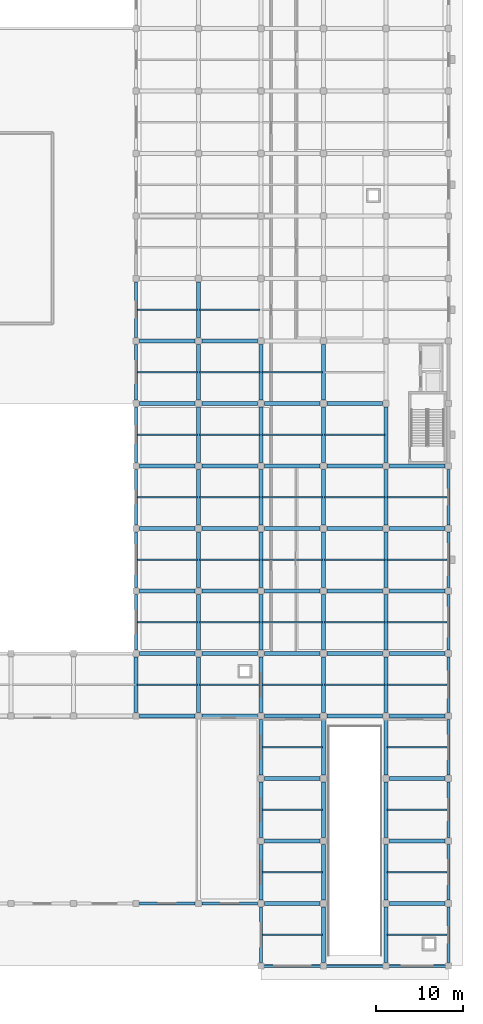
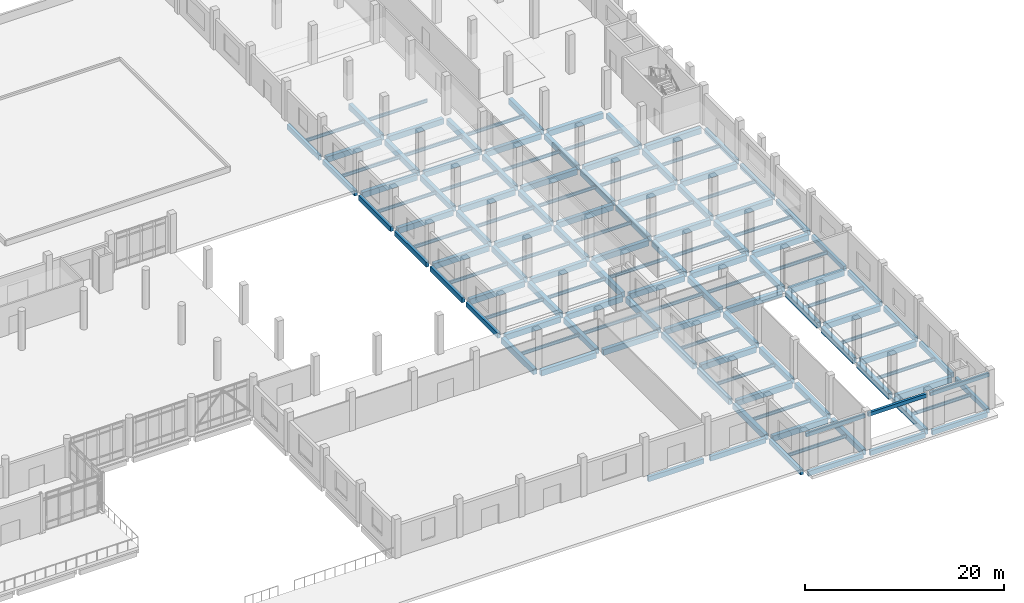
# One storey, part 25 of 59: 133 beams.
"""IFC4 building model written with IfcOpenShell, lengths in metres."""

import ifcopenshell
import ifcopenshell.guid

model = None  # the IFC model being written
_history = None  # IfcOwnerHistory: only IFC2X3 demands one
_inside = {}  # id of a spatial element -> (the spatial element, [elements in it])
_under = {}  # id of a project, library or spatial element -> (it, [spatial elements below it])
_declared = {}  # id of a project -> (the project, [libraries it declares])
_typed = {}  # id of a type object -> (the type object, [elements of that type])
_made_of = {}  # id of a material, layer set ... -> (it, [elements and type objects made of it])


def new_model(schema):
    """Start an empty IFC model of exactly this schema.

    Asked for "IFC4X3", IfcOpenShell would pick the latest addendum, in which some entities
    have other attributes; the version numbers below select the first issue.
    IFC2X3 requires an IfcOwnerHistory on every rooted entity: one is made here for all.
    """
    global model, _history
    if schema == "IFC4X3":
        model = ifcopenshell.file(schema_version=(4, 3, 0, 0))
    else:
        model = ifcopenshell.file(schema=schema)
    _inside.clear()
    _under.clear()
    _declared.clear()
    _typed.clear()
    _made_of.clear()
    _history = None
    if model.schema == "IFC2X3":
        org = make("IfcOrganization", Name="unknown")
        user = make(
            "IfcPersonAndOrganization",
            ThePerson=make("IfcPerson", FamilyName="unknown"),
            TheOrganization=org,
        )
        app = make(
            "IfcApplication",
            ApplicationDeveloper=org,
            Version="unknown",
            ApplicationFullName="unknown",
            ApplicationIdentifier="unknown",
        )
        _history = make(
            "IfcOwnerHistory",
            OwningUser=user,
            OwningApplication=app,
            ChangeAction="ADDED",
            CreationDate=0,
        )
    return model


def make(cls, **values):
    """One entity of the class cls with the attributes given. An attribute that is None is left unset."""
    return model.create_entity(
        cls, **{name: value for name, value in values.items() if value is not None}
    )


def rooted(cls, **values):
    """An entity with a GlobalId (a new one), such as an element, a storey or a relation."""
    return make(cls, GlobalId=ifcopenshell.guid.new(), OwnerHistory=_history, **values)


def si_unit(unit_type, name, prefix=None):
    """IfcSIUnit, for example si_unit("LENGTHUNIT", "METRE", prefix="MILLI")."""
    return make("IfcSIUnit", UnitType=unit_type, Prefix=prefix, Name=name)


def assignment(units):
    """IfcUnitAssignment: the units of a project."""
    return None if units is None else make("IfcUnitAssignment", Units=units)


def point(xyz):
    """IfcCartesianPoint."""
    return None if xyz is None else make("IfcCartesianPoint", Coordinates=xyz)


def direction(xyz):
    """IfcDirection."""
    return None if xyz is None else make("IfcDirection", DirectionRatios=xyz)


def frame(location, z_axis=None, x_axis=None):
    """IfcAxis2Placement3D, a coordinate frame: its origin and axes. An axis left out is left unset."""
    return make(
        "IfcAxis2Placement3D",
        Location=point(location),
        Axis=direction(z_axis),
        RefDirection=direction(x_axis),
    )


def frame_2d(location, x_axis=None):
    """IfcAxis2Placement2D, a coordinate frame in the plane: its origin and x axis."""
    return make(
        "IfcAxis2Placement2D", Location=point(location), RefDirection=direction(x_axis)
    )


def origin():
    """The frame at (0, 0, 0) with its axes left unset."""
    return frame((0.0, 0.0, 0.0))


def origin_2d():
    """The frame at (0, 0) in the plane with its x axis left unset."""
    return frame_2d((0.0, 0.0))


def place(relative_to, where):
    """IfcLocalPlacement: puts the frame where relative to a parent placement (None: the world)."""
    return make(
        "IfcLocalPlacement", PlacementRelTo=relative_to, RelativePlacement=where
    )


def context(
    kind, dimensions, precision=None, world=None, true_north=None, identifier=None
):
    """IfcGeometricRepresentationContext, for example the 3D "Model" context."""
    return make(
        "IfcGeometricRepresentationContext",
        ContextIdentifier=identifier,
        ContextType=kind,
        CoordinateSpaceDimension=dimensions,
        Precision=precision,
        WorldCoordinateSystem=world,
        TrueNorth=true_north,
    )


def subcontext(parent, identifier, kind, view, scale=None):
    """IfcGeometricRepresentationSubContext, for example "Body" below "Model"."""
    return make(
        "IfcGeometricRepresentationSubContext",
        ContextIdentifier=identifier,
        ContextType=kind,
        ParentContext=parent,
        TargetScale=scale,
        TargetView=view,
    )


def project(units=None, contexts=None):
    """IfcProject with its units and contexts."""
    return rooted(
        "IfcProject",
        Name="project",
        RepresentationContexts=contexts,
        UnitsInContext=assignment(units),
    )


def spatial(cls, under=None, at=None, **own):
    """A site, building, storey or space (cls), placed at a placement, below another one or the project."""
    s = rooted(cls, ObjectPlacement=at, **own)
    if under is not None:
        _under.setdefault(under.id(), (under, []))[1].append(s)
    return s


def profile(cls, at=None, kind="AREA", **sizes):
    """A parametric profile (cls). Its sizes go by their IFC names, for example OverallWidth=200.0."""
    return make(cls, ProfileType=kind, Position=at, **sizes)


def rectangle(**sizes):
    """IfcRectangleProfileDef."""
    return profile("IfcRectangleProfileDef", **sizes)


def i_section(**sizes):
    """IfcIShapeProfileDef."""
    return profile("IfcIShapeProfileDef", **sizes)


def extrude(swept, where, along, depth):
    """IfcExtrudedAreaSolid: the profile swept, set in the frame where, extruded along a direction by depth."""
    return make(
        "IfcExtrudedAreaSolid",
        SweptArea=swept,
        Position=where,
        ExtrudedDirection=direction(along),
        Depth=depth,
    )


def shape(context_of_items, identifier, shape_type, items):
    """IfcShapeRepresentation: the items that make up one representation, for example the "Body"."""
    return make(
        "IfcShapeRepresentation",
        ContextOfItems=context_of_items,
        RepresentationIdentifier=identifier,
        RepresentationType=shape_type,
        Items=items,
    )


def material(Name=None, Category=None):
    """IfcMaterial."""
    return make("IfcMaterial", Name=Name, Category=Category)


def material_profile(
    of_material, cross_section, Name=None, Category=None, Priority=None
):
    """IfcMaterialProfile: a cross section and its material."""
    return make(
        "IfcMaterialProfile",
        Name=Name,
        Material=of_material,
        Profile=cross_section,
        Priority=Priority,
        Category=Category,
    )


def profile_set(profiles, Name=None, composite=None):
    """IfcMaterialProfileSet."""
    return make(
        "IfcMaterialProfileSet",
        Name=Name,
        MaterialProfiles=profiles,
        CompositeProfile=composite,
    )


def made_of(thing, what):
    """Note that an element or type object is made of a material, layer set ...; save() writes the relation."""
    if what is not None:
        _made_of.setdefault(what.id(), (what, []))[1].append(thing)
    return thing


def type_object(cls, material=None, **own):
    """A type object (cls), such as IfcWallType, which elements share."""
    return made_of(rooted(cls, **own), material)


def element(
    cls,
    number,
    at=None,
    inside=None,
    cuts=None,
    type_object=None,
    material=None,
    context=None,
    identifier="Body",
    shape_type=None,
    held_by="IfcProductDefinitionShape",
    body=None,
    shapes=None,
    **own,
):
    """One element of the class cls, such as IfcWall. Its Tag is "e" and its number.

    at: its placement. inside: the storey or other place that contains it. cuts: it is an
    opening in that element (IfcRelVoidsElement). A single representation is given by context,
    identifier, shape_type and body (its items); several are given by shapes. held_by: the class
    of the entity that holds the representations. save() writes the other relations.
    """
    e = rooted(cls, Tag="e%d" % number, ObjectPlacement=at, **own)
    if body is not None:
        shapes = [shape(context, identifier, shape_type, body)]
    if shapes is not None:
        e.Representation = make(held_by, Representations=shapes)
    if inside is not None:
        _inside.setdefault(inside.id(), (inside, []))[1].append(e)
    if cuts is not None:
        rooted(
            "IfcRelVoidsElement", RelatingBuildingElement=cuts, RelatedOpeningElement=e
        )
    if type_object is not None:
        _typed.setdefault(type_object.id(), (type_object, []))[1].append(e)
    return made_of(e, material)


def aggregate(whole, parts):
    """IfcRelAggregates: a whole, such as a stair, and the parts it consists of."""
    return rooted("IfcRelAggregates", RelatingObject=whole, RelatedObjects=parts)


def save(model, path):
    """Write the relations noted so far, then the file.

    IfcRelAggregates (storeys below a building ...), IfcRelContainedInSpatialStructure (elements
    in a storey), IfcRelDefinesByType, IfcRelAssociatesMaterial and IfcRelDeclares: one each for
    every whole, place, type object, material and project.
    """
    for whole, parts in _under.values():
        aggregate(whole, parts)
    for where, things in _inside.values():
        rooted(
            "IfcRelContainedInSpatialStructure",
            RelatedElements=things,
            RelatingStructure=where,
        )
    for kind, things in _typed.values():
        rooted("IfcRelDefinesByType", RelatedObjects=things, RelatingType=kind)
    for what, things in _made_of.values():
        rooted("IfcRelAssociatesMaterial", RelatedObjects=things, RelatingMaterial=what)
    for by, libraries in _declared.values():
        rooted("IfcRelDeclares", RelatingContext=by, RelatedDefinitions=libraries)
    model.write(path)


model = new_model("IFC4")

# Units and contexts
model_context = context("Model", 3, precision=1e-05, world=origin(), true_north=direction((0.0, 1.0)))
body_context = subcontext(model_context, "Body", "Model", "MODEL_VIEW")
ifc_project = project(units=[si_unit("LENGTHUNIT", "METRE"), si_unit("AREAUNIT", "SQUARE_METRE"), si_unit("VOLUMEUNIT", "CUBIC_METRE"), si_unit("PLANEANGLEUNIT", "RADIAN"), si_unit("MASSUNIT", "GRAM", prefix="KILO")], contexts=[model_context])

# Site, building, storey
site_placement = place(None, origin())
site = spatial("IfcSite", under=ifc_project, at=site_placement, CompositionType="ELEMENT")
building_placement = place(site_placement, origin())
building = spatial("IfcBuilding", under=site, at=building_placement, Name="Valkovuoma Quantum and Materials Research Institute", CompositionType="ELEMENT")
storey_placement = place(building_placement, origin())
storey = spatial("IfcBuildingStorey", under=building, at=storey_placement, Name="L00", CompositionType="ELEMENT", Elevation=0.0)

# Beams
ifc_material_1 = material(Name="Steel S355J2", Category="steel")
ifc_material_profile_1 = material_profile(ifc_material_1, i_section(OverallWidth=0.179931640625, OverallDepth=0.39990234375, WebThickness=0.008544921875, FlangeThickness=0.013427734375, FilletRadius=0.02099609375, at=origin_2d()), Name="Steel S355J2")
ifc_profile_set_1 = profile_set([ifc_material_profile_1], Name="Steel S355J2")
beam_type_1 = type_object("IfcBeamType", Name="Beam-B-JST400", PredefinedType="JOIST", material=ifc_profile_set_1)
for number, where, z_axis, x_axis, name in (
    (1, (144.1201171875, 3.60009765625, -0.60009765625), (1.0, 0.0, 0.0), (0.0, 1.0, 0.0), "L00 floor joist 0395"),
    (2, (158.52001953125, 3.60009765625, -0.60009765625), (1.0, 0.0, 0.0), (0.0, 1.0, 0.0), "L00 floor joist 0396"),
    (3, (144.1201171875, 10.800048828125, -0.60009765625), (1.0, 0.0, 0.0), (0.0, 1.0, 0.0), "L00 floor joist 0397"),
    (4, (158.52001953125, 10.800048828125, -0.60009765625), (1.0, 0.0, 0.0), (0.0, 1.0, 0.0), "L00 floor joist 0398"),
    (5, (144.1201171875, 18.0, -0.60009765625), (1.0, 0.0, 0.0), (0.0, 1.0, 0.0), "L00 floor joist 0399"),
    (6, (158.52001953125, 18.0, -0.60009765625), (1.0, 0.0, 0.0), (0.0, 1.0, 0.0), "L00 floor joist 0400"),
    (7, (144.1201171875, 25.199951171875, -0.60009765625), (1.0, 0.0, 0.0), (0.0, 1.0, 0.0), "L00 floor joist 0404"),
    (8, (158.52001953125, 25.199951171875, -0.60009765625), (1.0, 0.0, 0.0), (0.0, 1.0, 0.0), "L00 floor joist 0405"),
    (9, (129.719970703125, 32.39990234375, -0.60009765625), (1.0, 0.0, 0.0), (0.0, 1.0, 0.0), "L00 floor joist 0413"),
    (10, (136.919921875, 32.39990234375, -0.60009765625), (1.0, 0.0, 0.0), (0.0, 1.0, 0.0), "L00 floor joist 0414"),
    (11, (144.1201171875, 32.39990234375, -0.60009765625), (1.0, 0.0, 0.0), (0.0, 1.0, 0.0), "L00 floor joist 0415"),
    (12, (151.320068359375, 32.39990234375, -0.60009765625), (1.0, 0.0, 0.0), (0.0, 1.0, 0.0), "L00 floor joist 0416"),
    (13, (158.52001953125, 32.39990234375, -0.60009765625), (1.0, 0.0, 0.0), (0.0, 1.0, 0.0), "L00 floor joist 0417"),
    (14, (129.719970703125, 39.60009765625, -0.60009765625), (1.0, 0.0, 0.0), (0.0, 1.0, 0.0), "L00 floor joist 0431"),
    (15, (136.919921875, 39.60009765625, -0.60009765625), (1.0, 0.0, 0.0), (0.0, 1.0, 0.0), "L00 floor joist 0432"),
    (16, (144.1201171875, 39.60009765625, -0.60009765625), (1.0, 0.0, 0.0), (0.0, 1.0, 0.0), "L00 floor joist 0433"),
    (17, (151.320068359375, 39.60009765625, -0.60009765625), (1.0, 0.0, 0.0), (0.0, 1.0, 0.0), "L00 floor joist 0434"),
    (18, (158.52001953125, 39.60009765625, -0.60009765625), (1.0, 0.0, 0.0), (0.0, 1.0, 0.0), "L00 floor joist 0435"),
    (19, (129.719970703125, 46.800048828125, -0.60009765625), (1.0, 0.0, 0.0), (0.0, 1.0, 0.0), "L00 floor joist 0448"),
    (20, (136.919921875, 46.800048828125, -0.60009765625), (1.0, 0.0, 0.0), (0.0, 1.0, 0.0), "L00 floor joist 0449"),
    (21, (144.1201171875, 46.800048828125, -0.60009765625), (1.0, 0.0, 0.0), (0.0, 1.0, 0.0), "L00 floor joist 0450"),
    (22, (151.320068359375, 46.800048828125, -0.60009765625), (1.0, 0.0, 0.0), (0.0, 1.0, 0.0), "L00 floor joist 0451"),
    (23, (158.52001953125, 46.800048828125, -0.60009765625), (1.0, 0.0, 0.0), (0.0, 1.0, 0.0), "L00 floor joist 0452"),
    (24, (129.719970703125, 54.0, -0.60009765625), (1.0, 0.0, 0.0), (0.0, 1.0, 0.0), "L00 floor joist 0465"),
    (25, (136.919921875, 54.0, -0.60009765625), (1.0, 0.0, 0.0), (0.0, 1.0, 0.0), "L00 floor joist 0466"),
    (26, (144.1201171875, 54.0, -0.60009765625), (1.0, 0.0, 0.0), (0.0, 1.0, 0.0), "L00 floor joist 0467"),
    (27, (151.320068359375, 54.0, -0.60009765625), (1.0, 0.0, 0.0), (0.0, 1.0, 0.0), "L00 floor joist 0468"),
    (28, (158.52001953125, 54.0, -0.60009765625), (1.0, 0.0, 0.0), (0.0, 1.0, 0.0), "L00 floor joist 0469"),
    (29, (129.719970703125, 61.199951171875, -0.60009765625), (1.0, 0.0, 0.0), (0.0, 1.0, 0.0), "L00 floor joist 0484"),
    (30, (136.919921875, 61.199951171875, -0.60009765625), (1.0, 0.0, 0.0), (0.0, 1.0, 0.0), "L00 floor joist 0485"),
    (31, (144.1201171875, 61.199951171875, -0.60009765625), (1.0, 0.0, 0.0), (0.0, 1.0, 0.0), "L00 floor joist 0486"),
    (32, (151.320068359375, 61.199951171875, -0.60009765625), (1.0, 0.0, 0.0), (0.0, 1.0, 0.0), "L00 floor joist 0487"),
    (33, (129.719970703125, 68.39990234375, -0.60009765625), (1.0, 0.0, 0.0), (0.0, 1.0, 0.0), "L00 floor joist 0492"),
    (34, (136.919921875, 68.39990234375, -0.60009765625), (1.0, 0.0, 0.0), (0.0, 1.0, 0.0), "L00 floor joist 0493"),
    (35, (144.1201171875, 68.39990234375, -0.60009765625), (1.0, 0.0, 0.0), (0.0, 1.0, 0.0), "L00 floor joist 0494"),
    (36, (129.719970703125, 75.60009765625, -0.60009765625), (1.0, 0.0, 0.0), (0.0, 1.0, 0.0), "L00 floor joist 0499"),
    (37, (136.919921875, 75.60009765625, -0.60009765625), (1.0, 0.0, 0.0), (0.0, 1.0, 0.0), "L00 floor joist 0500"),
):
    element("IfcBeam", number, at=place(storey_placement, frame(where, z_axis=z_axis, x_axis=x_axis)), inside=storey, type_object=beam_type_1, Name=name, PredefinedType="JOIST", context=body_context, shape_type="SweptSolid", body=[
        extrude(i_section(OverallWidth=0.179931640625, OverallDepth=0.39990234375, WebThickness=0.008544921875, FlangeThickness=0.013427734375, FilletRadius=0.02099609375, at=origin_2d()), origin(), (0.0, 0.0, 1.0), 6.9599609375),
    ])
ifc_material_2 = material(Name="Concrete C40/50", Category="concrete")
ifc_material_profile_2 = material_profile(ifc_material_2, rectangle(XDim=0.300048828125, YDim=0.449951171875, at=origin_2d()), Name="Concrete C40/50")
ifc_profile_set_2 = profile_set([ifc_material_profile_2], Name="Concrete C40/50")
beam_type_2 = type_object("IfcBeamType", Name="Beam-B-LNT450", PredefinedType="LINTEL", material=ifc_profile_set_2)
for number, where, z_axis, x_axis, name in (
    (38, (144.179931640625, 0.0, 4.10009765625), (1.0, 0.0, 0.0), (0.0, 1.0, 0.0), "L00 structural lintel 01"),
    (39, (151.3798828125, 0.0, 4.10009765625), (1.0, 0.0, 0.0), (0.0, 1.0, 0.0), "L00 structural lintel 02"),
):
    element("IfcBeam", number, at=place(storey_placement, frame(where, z_axis=z_axis, x_axis=x_axis)), inside=storey, type_object=beam_type_2, Name=name, PredefinedType="LINTEL", context=body_context, shape_type="SweptSolid", body=[
        extrude(rectangle(XDim=0.300048828125, YDim=0.449951171875, at=origin_2d()), origin(), (0.0, 0.0, 1.0), 6.840087890625),
    ])
beam_1_placement = place(storey_placement, frame((158.580078125, 0.0, 4.10009765625), z_axis=(1.0, 0.0, 0.0), x_axis=(0.0, 1.0, 0.0)))
element("IfcBeam", 40, at=beam_1_placement, inside=storey, type_object=beam_type_2, Name="L00 structural lintel 03", PredefinedType="LINTEL", context=body_context, shape_type="SweptSolid", body=[
    extrude(rectangle(XDim=0.300048828125, YDim=0.449951171875, at=origin_2d()), origin(), (0.0, 0.0, 1.0), 6.83984375),
])
ifc_material_3 = material(Name="Concrete C40/50", Category="concrete")
ifc_material_profile_3 = material_profile(ifc_material_3, rectangle(XDim=0.449951171875, YDim=0.699951171875, at=origin_2d()), Name="Concrete C40/50")
ifc_profile_set_3 = profile_set([ifc_material_profile_3], Name="Concrete C40/50")
beam_type_3 = type_object("IfcBeamType", Name="Beam-B-RC700", PredefinedType="BEAM", material=ifc_profile_set_3)
beam_2_placement = place(storey_placement, frame((144.39990234375, 7.199951171875, -0.75), z_axis=(1.0, 0.0, 0.0), x_axis=(0.0, 1.0, 0.0)))
element("IfcBeam", 41, at=beam_2_placement, inside=storey, type_object=beam_type_3, Name="L00 beam X-0010", PredefinedType="BEAM", context=body_context, shape_type="SweptSolid", body=[
    extrude(rectangle(XDim=0.449951171875, YDim=0.699951171875, at=origin_2d()), origin(), (0.0, 0.0, 1.0), 6.400146484375),
])
beam_3_placement = place(storey_placement, frame((158.800048828125, 7.199951171875, -0.75), z_axis=(1.0, 0.0, 0.0), x_axis=(0.0, 1.0, 0.0)))
element("IfcBeam", 42, at=beam_3_placement, inside=storey, type_object=beam_type_3, Name="L00 beam X-0011", PredefinedType="BEAM", context=body_context, shape_type="SweptSolid", body=[
    extrude(rectangle(XDim=0.449951171875, YDim=0.699951171875, at=origin_2d()), origin(), (0.0, 0.0, 1.0), 6.39990234375),
])
beam_4_placement = place(storey_placement, frame((144.39990234375, 14.39990234375, -0.75), z_axis=(1.0, 0.0, 0.0), x_axis=(0.0, 1.0, 0.0)))
element("IfcBeam", 43, at=beam_4_placement, inside=storey, type_object=beam_type_3, Name="L00 beam X-0012", PredefinedType="BEAM", context=body_context, shape_type="SweptSolid", body=[
    extrude(rectangle(XDim=0.449951171875, YDim=0.699951171875, at=origin_2d()), origin(), (0.0, 0.0, 1.0), 6.400146484375),
])
beam_5_placement = place(storey_placement, frame((158.800048828125, 14.39990234375, -0.75), z_axis=(1.0, 0.0, 0.0), x_axis=(0.0, 1.0, 0.0)))
element("IfcBeam", 44, at=beam_5_placement, inside=storey, type_object=beam_type_3, Name="L00 beam X-0013", PredefinedType="BEAM", context=body_context, shape_type="SweptSolid", body=[
    extrude(rectangle(XDim=0.449951171875, YDim=0.699951171875, at=origin_2d()), origin(), (0.0, 0.0, 1.0), 6.39990234375),
])
beam_6_placement = place(storey_placement, frame((144.39990234375, 21.60009765625, -0.75), z_axis=(1.0, 0.0, 0.0), x_axis=(0.0, 1.0, 0.0)))
element("IfcBeam", 45, at=beam_6_placement, inside=storey, type_object=beam_type_3, Name="L00 beam X-0017", PredefinedType="BEAM", context=body_context, shape_type="SweptSolid", body=[
    extrude(rectangle(XDim=0.449951171875, YDim=0.699951171875, at=origin_2d()), origin(), (0.0, 0.0, 1.0), 6.400146484375),
])
for number, where, z_axis, x_axis, name in (
    (46, (158.800048828125, 21.60009765625, -0.75), (1.0, 0.0, 0.0), (0.0, 1.0, 0.0), "L00 beam X-0018"),
    (47, (130.0, 28.800048828125, -0.75), (1.0, 0.0, 0.0), (0.0, 1.0, 0.0), "L00 beam X-0028"),
):
    element("IfcBeam", number, at=place(storey_placement, frame(where, z_axis=z_axis, x_axis=x_axis)), inside=storey, type_object=beam_type_3, Name=name, PredefinedType="BEAM", context=body_context, shape_type="SweptSolid", body=[
        extrude(rectangle(XDim=0.449951171875, YDim=0.699951171875, at=origin_2d()), origin(), (0.0, 0.0, 1.0), 6.39990234375),
    ])
for number, where, z_axis, x_axis, name in (
    (48, (137.199951171875, 28.800048828125, -0.75), (1.0, 0.0, 0.0), (0.0, 1.0, 0.0), "L00 beam X-0029"),
    (49, (144.39990234375, 28.800048828125, -0.75), (1.0, 0.0, 0.0), (0.0, 1.0, 0.0), "L00 beam X-0030"),
):
    element("IfcBeam", number, at=place(storey_placement, frame(where, z_axis=z_axis, x_axis=x_axis)), inside=storey, type_object=beam_type_3, Name=name, PredefinedType="BEAM", context=body_context, shape_type="SweptSolid", body=[
        extrude(rectangle(XDim=0.449951171875, YDim=0.699951171875, at=origin_2d()), origin(), (0.0, 0.0, 1.0), 6.400146484375),
    ])
for number, where, z_axis, x_axis, name in (
    (50, (151.60009765625, 28.800048828125, -0.75), (1.0, 0.0, 0.0), (0.0, 1.0, 0.0), "L00 beam X-0031"),
    (51, (158.800048828125, 28.800048828125, -0.75), (1.0, 0.0, 0.0), (0.0, 1.0, 0.0), "L00 beam X-0032"),
    (52, (130.0, 36.0, -0.75), (1.0, 0.0, 0.0), (0.0, 1.0, 0.0), "L00 beam X-0049"),
):
    element("IfcBeam", number, at=place(storey_placement, frame(where, z_axis=z_axis, x_axis=x_axis)), inside=storey, type_object=beam_type_3, Name=name, PredefinedType="BEAM", context=body_context, shape_type="SweptSolid", body=[
        extrude(rectangle(XDim=0.449951171875, YDim=0.699951171875, at=origin_2d()), origin(), (0.0, 0.0, 1.0), 6.39990234375),
    ])
for number, where, z_axis, x_axis, name in (
    (53, (137.199951171875, 36.0, -0.75), (1.0, 0.0, 0.0), (0.0, 1.0, 0.0), "L00 beam X-0050"),
    (54, (144.39990234375, 36.0, -0.75), (1.0, 0.0, 0.0), (0.0, 1.0, 0.0), "L00 beam X-0051"),
):
    element("IfcBeam", number, at=place(storey_placement, frame(where, z_axis=z_axis, x_axis=x_axis)), inside=storey, type_object=beam_type_3, Name=name, PredefinedType="BEAM", context=body_context, shape_type="SweptSolid", body=[
        extrude(rectangle(XDim=0.449951171875, YDim=0.699951171875, at=origin_2d()), origin(), (0.0, 0.0, 1.0), 6.400146484375),
    ])
for number, where, z_axis, x_axis, name in (
    (55, (151.60009765625, 36.0, -0.75), (1.0, 0.0, 0.0), (0.0, 1.0, 0.0), "L00 beam X-0052"),
    (56, (158.800048828125, 36.0, -0.75), (1.0, 0.0, 0.0), (0.0, 1.0, 0.0), "L00 beam X-0053"),
    (57, (130.0, 43.199951171875, -0.75), (1.0, 0.0, 0.0), (0.0, 1.0, 0.0), "L00 beam X-0069"),
):
    element("IfcBeam", number, at=place(storey_placement, frame(where, z_axis=z_axis, x_axis=x_axis)), inside=storey, type_object=beam_type_3, Name=name, PredefinedType="BEAM", context=body_context, shape_type="SweptSolid", body=[
        extrude(rectangle(XDim=0.449951171875, YDim=0.699951171875, at=origin_2d()), origin(), (0.0, 0.0, 1.0), 6.39990234375),
    ])
for number, where, z_axis, x_axis, name in (
    (58, (137.199951171875, 43.199951171875, -0.75), (1.0, 0.0, 0.0), (0.0, 1.0, 0.0), "L00 beam X-0070"),
    (59, (144.39990234375, 43.199951171875, -0.75), (1.0, 0.0, 0.0), (0.0, 1.0, 0.0), "L00 beam X-0071"),
):
    element("IfcBeam", number, at=place(storey_placement, frame(where, z_axis=z_axis, x_axis=x_axis)), inside=storey, type_object=beam_type_3, Name=name, PredefinedType="BEAM", context=body_context, shape_type="SweptSolid", body=[
        extrude(rectangle(XDim=0.449951171875, YDim=0.699951171875, at=origin_2d()), origin(), (0.0, 0.0, 1.0), 6.400146484375),
    ])
for number, where, z_axis, x_axis, name in (
    (60, (151.60009765625, 43.199951171875, -0.75), (1.0, 0.0, 0.0), (0.0, 1.0, 0.0), "L00 beam X-0072"),
    (61, (158.800048828125, 43.199951171875, -0.75), (1.0, 0.0, 0.0), (0.0, 1.0, 0.0), "L00 beam X-0073"),
    (62, (130.0, 50.39990234375, -0.75), (1.0, 0.0, 0.0), (0.0, 1.0, 0.0), "L00 beam X-0087"),
):
    element("IfcBeam", number, at=place(storey_placement, frame(where, z_axis=z_axis, x_axis=x_axis)), inside=storey, type_object=beam_type_3, Name=name, PredefinedType="BEAM", context=body_context, shape_type="SweptSolid", body=[
        extrude(rectangle(XDim=0.449951171875, YDim=0.699951171875, at=origin_2d()), origin(), (0.0, 0.0, 1.0), 6.39990234375),
    ])
for number, where, z_axis, x_axis, name in (
    (63, (137.199951171875, 50.39990234375, -0.75), (1.0, 0.0, 0.0), (0.0, 1.0, 0.0), "L00 beam X-0088"),
    (64, (144.39990234375, 50.39990234375, -0.75), (1.0, 0.0, 0.0), (0.0, 1.0, 0.0), "L00 beam X-0089"),
):
    element("IfcBeam", number, at=place(storey_placement, frame(where, z_axis=z_axis, x_axis=x_axis)), inside=storey, type_object=beam_type_3, Name=name, PredefinedType="BEAM", context=body_context, shape_type="SweptSolid", body=[
        extrude(rectangle(XDim=0.449951171875, YDim=0.699951171875, at=origin_2d()), origin(), (0.0, 0.0, 1.0), 6.400146484375),
    ])
for number, where, z_axis, x_axis, name in (
    (65, (151.60009765625, 50.39990234375, -0.75), (1.0, 0.0, 0.0), (0.0, 1.0, 0.0), "L00 beam X-0090"),
    (66, (158.800048828125, 50.39990234375, -0.75), (1.0, 0.0, 0.0), (0.0, 1.0, 0.0), "L00 beam X-0091"),
    (67, (130.0, 57.60009765625, -0.75), (1.0, 0.0, 0.0), (0.0, 1.0, 0.0), "L00 beam X-0107"),
):
    element("IfcBeam", number, at=place(storey_placement, frame(where, z_axis=z_axis, x_axis=x_axis)), inside=storey, type_object=beam_type_3, Name=name, PredefinedType="BEAM", context=body_context, shape_type="SweptSolid", body=[
        extrude(rectangle(XDim=0.449951171875, YDim=0.699951171875, at=origin_2d()), origin(), (0.0, 0.0, 1.0), 6.39990234375),
    ])
for number, where, z_axis, x_axis, name in (
    (68, (137.199951171875, 57.60009765625, -0.75), (1.0, 0.0, 0.0), (0.0, 1.0, 0.0), "L00 beam X-0108"),
    (69, (144.39990234375, 57.60009765625, -0.75), (1.0, 0.0, 0.0), (0.0, 1.0, 0.0), "L00 beam X-0109"),
):
    element("IfcBeam", number, at=place(storey_placement, frame(where, z_axis=z_axis, x_axis=x_axis)), inside=storey, type_object=beam_type_3, Name=name, PredefinedType="BEAM", context=body_context, shape_type="SweptSolid", body=[
        extrude(rectangle(XDim=0.449951171875, YDim=0.699951171875, at=origin_2d()), origin(), (0.0, 0.0, 1.0), 6.400146484375),
    ])
for number, where, z_axis, x_axis, name in (
    (70, (151.60009765625, 57.60009765625, -0.75), (1.0, 0.0, 0.0), (0.0, 1.0, 0.0), "L00 beam X-0110"),
    (71, (158.800048828125, 57.60009765625, -0.75), (1.0, 0.0, 0.0), (0.0, 1.0, 0.0), "L00 beam X-0111"),
    (72, (130.0, 64.800048828125, -0.75), (1.0, 0.0, 0.0), (0.0, 1.0, 0.0), "L00 beam X-0127"),
):
    element("IfcBeam", number, at=place(storey_placement, frame(where, z_axis=z_axis, x_axis=x_axis)), inside=storey, type_object=beam_type_3, Name=name, PredefinedType="BEAM", context=body_context, shape_type="SweptSolid", body=[
        extrude(rectangle(XDim=0.449951171875, YDim=0.699951171875, at=origin_2d()), origin(), (0.0, 0.0, 1.0), 6.39990234375),
    ])
for number, where, z_axis, x_axis, name in (
    (73, (137.199951171875, 64.800048828125, -0.75), (1.0, 0.0, 0.0), (0.0, 1.0, 0.0), "L00 beam X-0128"),
    (74, (144.39990234375, 64.800048828125, -0.75), (1.0, 0.0, 0.0), (0.0, 1.0, 0.0), "L00 beam X-0129"),
):
    element("IfcBeam", number, at=place(storey_placement, frame(where, z_axis=z_axis, x_axis=x_axis)), inside=storey, type_object=beam_type_3, Name=name, PredefinedType="BEAM", context=body_context, shape_type="SweptSolid", body=[
        extrude(rectangle(XDim=0.449951171875, YDim=0.699951171875, at=origin_2d()), origin(), (0.0, 0.0, 1.0), 6.400146484375),
    ])
for number, where, z_axis, x_axis, name in (
    (75, (151.60009765625, 64.800048828125, -0.75), (1.0, 0.0, 0.0), (0.0, 1.0, 0.0), "L00 beam X-0130"),
    (76, (130.0, 72.0, -0.75), (1.0, 0.0, 0.0), (0.0, 1.0, 0.0), "L00 beam X-0136"),
):
    element("IfcBeam", number, at=place(storey_placement, frame(where, z_axis=z_axis, x_axis=x_axis)), inside=storey, type_object=beam_type_3, Name=name, PredefinedType="BEAM", context=body_context, shape_type="SweptSolid", body=[
        extrude(rectangle(XDim=0.449951171875, YDim=0.699951171875, at=origin_2d()), origin(), (0.0, 0.0, 1.0), 6.39990234375),
    ])
for number, where, z_axis, x_axis, name in (
    (77, (137.199951171875, 72.0, -0.75), (1.0, 0.0, 0.0), (0.0, 1.0, 0.0), "L00 beam X-0137"),
    (78, (129.60009765625, 29.199951171875, -0.75), (0.0, 1.0, 0.0), (-1.0, 0.0, 0.0), "L00 beam Y-0309"),
    (79, (136.800048828125, 29.199951171875, -0.75), (0.0, 1.0, 0.0), (-1.0, 0.0, 0.0), "L00 beam Y-0321"),
    (80, (136.800048828125, 36.39990234375, -0.75), (0.0, 1.0, 0.0), (-1.0, 0.0, 0.0), "L00 beam Y-0322"),
):
    element("IfcBeam", number, at=place(storey_placement, frame(where, z_axis=z_axis, x_axis=x_axis)), inside=storey, type_object=beam_type_3, Name=name, PredefinedType="BEAM", context=body_context, shape_type="SweptSolid", body=[
        extrude(rectangle(XDim=0.449951171875, YDim=0.699951171875, at=origin_2d()), origin(), (0.0, 0.0, 1.0), 6.400146484375),
    ])
for number, where, z_axis, x_axis, name in (
    (81, (136.800048828125, 43.60009765625, -0.75), (0.0, 1.0, 0.0), (-1.0, 0.0, 0.0), "L00 beam Y-0323"),
    (82, (136.800048828125, 50.800048828125, -0.75), (0.0, 1.0, 0.0), (-1.0, 0.0, 0.0), "L00 beam Y-0324"),
    (83, (136.800048828125, 58.0, -0.75), (0.0, 1.0, 0.0), (-1.0, 0.0, 0.0), "L00 beam Y-0325"),
):
    element("IfcBeam", number, at=place(storey_placement, frame(where, z_axis=z_axis, x_axis=x_axis)), inside=storey, type_object=beam_type_3, Name=name, PredefinedType="BEAM", context=body_context, shape_type="SweptSolid", body=[
        extrude(rectangle(XDim=0.449951171875, YDim=0.699951171875, at=origin_2d()), origin(), (0.0, 0.0, 1.0), 6.39990234375),
    ])
for number, where, z_axis, x_axis, name in (
    (84, (136.800048828125, 65.199951171875, -0.75), (0.0, 1.0, 0.0), (-1.0, 0.0, 0.0), "L00 beam Y-0326"),
    (85, (136.800048828125, 72.39990234375, -0.75), (0.0, 1.0, 0.0), (-1.0, 0.0, 0.0), "L00 beam Y-0327"),
):
    element("IfcBeam", number, at=place(storey_placement, frame(where, z_axis=z_axis, x_axis=x_axis)), inside=storey, type_object=beam_type_3, Name=name, PredefinedType="BEAM", context=body_context, shape_type="SweptSolid", body=[
        extrude(rectangle(XDim=0.449951171875, YDim=0.699951171875, at=origin_2d()), origin(), (0.0, 0.0, 1.0), 6.400146484375),
    ])
for number, where, z_axis, x_axis, name in (
    (86, (144.0, 7.60009765625, -0.75), (0.0, 1.0, 0.0), (-1.0, 0.0, 0.0), "L00 beam Y-0334"),
    (87, (144.0, 14.800048828125, -0.75), (0.0, 1.0, 0.0), (-1.0, 0.0, 0.0), "L00 beam Y-0335"),
    (88, (144.0, 22.0, -0.75), (0.0, 1.0, 0.0), (-1.0, 0.0, 0.0), "L00 beam Y-0336"),
):
    element("IfcBeam", number, at=place(storey_placement, frame(where, z_axis=z_axis, x_axis=x_axis)), inside=storey, type_object=beam_type_3, Name=name, PredefinedType="BEAM", context=body_context, shape_type="SweptSolid", body=[
        extrude(rectangle(XDim=0.449951171875, YDim=0.699951171875, at=origin_2d()), origin(), (0.0, 0.0, 1.0), 6.39990234375),
    ])
for number, where, z_axis, x_axis, name in (
    (89, (144.0, 29.199951171875, -0.75), (0.0, 1.0, 0.0), (-1.0, 0.0, 0.0), "L00 beam Y-0337"),
    (90, (144.0, 36.39990234375, -0.75), (0.0, 1.0, 0.0), (-1.0, 0.0, 0.0), "L00 beam Y-0338"),
):
    element("IfcBeam", number, at=place(storey_placement, frame(where, z_axis=z_axis, x_axis=x_axis)), inside=storey, type_object=beam_type_3, Name=name, PredefinedType="BEAM", context=body_context, shape_type="SweptSolid", body=[
        extrude(rectangle(XDim=0.449951171875, YDim=0.699951171875, at=origin_2d()), origin(), (0.0, 0.0, 1.0), 6.400146484375),
    ])
for number, where, z_axis, x_axis, name in (
    (91, (144.0, 43.60009765625, -0.75), (0.0, 1.0, 0.0), (-1.0, 0.0, 0.0), "L00 beam Y-0339"),
    (92, (144.0, 50.800048828125, -0.75), (0.0, 1.0, 0.0), (-1.0, 0.0, 0.0), "L00 beam Y-0340"),
    (93, (144.0, 58.0, -0.75), (0.0, 1.0, 0.0), (-1.0, 0.0, 0.0), "L00 beam Y-0341"),
):
    element("IfcBeam", number, at=place(storey_placement, frame(where, z_axis=z_axis, x_axis=x_axis)), inside=storey, type_object=beam_type_3, Name=name, PredefinedType="BEAM", context=body_context, shape_type="SweptSolid", body=[
        extrude(rectangle(XDim=0.449951171875, YDim=0.699951171875, at=origin_2d()), origin(), (0.0, 0.0, 1.0), 6.39990234375),
    ])
for number, where, z_axis, x_axis, name in (
    (94, (144.0, 65.199951171875, -0.75), (0.0, 1.0, 0.0), (-1.0, 0.0, 0.0), "L00 beam Y-0342"),
    (95, (151.199951171875, 0.39990234375, -0.75), (0.0, 1.0, 0.0), (-1.0, 0.0, 0.0), "L00 beam Y-0349"),
):
    element("IfcBeam", number, at=place(storey_placement, frame(where, z_axis=z_axis, x_axis=x_axis)), inside=storey, type_object=beam_type_3, Name=name, PredefinedType="BEAM", context=body_context, shape_type="SweptSolid", body=[
        extrude(rectangle(XDim=0.449951171875, YDim=0.699951171875, at=origin_2d()), origin(), (0.0, 0.0, 1.0), 6.400146484375),
    ])
for number, where, z_axis, x_axis, name in (
    (96, (151.199951171875, 7.60009765625, -0.75), (0.0, 1.0, 0.0), (-1.0, 0.0, 0.0), "L00 beam Y-0350"),
    (97, (151.199951171875, 14.800048828125, -0.75), (0.0, 1.0, 0.0), (-1.0, 0.0, 0.0), "L00 beam Y-0351"),
    (98, (151.199951171875, 22.0, -0.75), (0.0, 1.0, 0.0), (-1.0, 0.0, 0.0), "L00 beam Y-0352"),
):
    element("IfcBeam", number, at=place(storey_placement, frame(where, z_axis=z_axis, x_axis=x_axis)), inside=storey, type_object=beam_type_3, Name=name, PredefinedType="BEAM", context=body_context, shape_type="SweptSolid", body=[
        extrude(rectangle(XDim=0.449951171875, YDim=0.699951171875, at=origin_2d()), origin(), (0.0, 0.0, 1.0), 6.39990234375),
    ])
for number, where, z_axis, x_axis, name in (
    (99, (151.199951171875, 29.199951171875, -0.75), (0.0, 1.0, 0.0), (-1.0, 0.0, 0.0), "L00 beam Y-0353"),
    (100, (151.199951171875, 36.39990234375, -0.75), (0.0, 1.0, 0.0), (-1.0, 0.0, 0.0), "L00 beam Y-0354"),
):
    element("IfcBeam", number, at=place(storey_placement, frame(where, z_axis=z_axis, x_axis=x_axis)), inside=storey, type_object=beam_type_3, Name=name, PredefinedType="BEAM", context=body_context, shape_type="SweptSolid", body=[
        extrude(rectangle(XDim=0.449951171875, YDim=0.699951171875, at=origin_2d()), origin(), (0.0, 0.0, 1.0), 6.400146484375),
    ])
for number, where, z_axis, x_axis, name in (
    (101, (151.199951171875, 43.60009765625, -0.75), (0.0, 1.0, 0.0), (-1.0, 0.0, 0.0), "L00 beam Y-0355"),
    (102, (151.199951171875, 50.800048828125, -0.75), (0.0, 1.0, 0.0), (-1.0, 0.0, 0.0), "L00 beam Y-0356"),
    (103, (151.199951171875, 58.0, -0.75), (0.0, 1.0, 0.0), (-1.0, 0.0, 0.0), "L00 beam Y-0357"),
):
    element("IfcBeam", number, at=place(storey_placement, frame(where, z_axis=z_axis, x_axis=x_axis)), inside=storey, type_object=beam_type_3, Name=name, PredefinedType="BEAM", context=body_context, shape_type="SweptSolid", body=[
        extrude(rectangle(XDim=0.449951171875, YDim=0.699951171875, at=origin_2d()), origin(), (0.0, 0.0, 1.0), 6.39990234375),
    ])
for number, where, z_axis, x_axis, name in (
    (104, (151.199951171875, 65.199951171875, -0.75), (0.0, 1.0, 0.0), (-1.0, 0.0, 0.0), "L00 beam Y-0358"),
    (105, (158.39990234375, 0.39990234375, -0.75), (0.0, 1.0, 0.0), (-1.0, 0.0, 0.0), "L00 beam Y-0365"),
):
    element("IfcBeam", number, at=place(storey_placement, frame(where, z_axis=z_axis, x_axis=x_axis)), inside=storey, type_object=beam_type_3, Name=name, PredefinedType="BEAM", context=body_context, shape_type="SweptSolid", body=[
        extrude(rectangle(XDim=0.449951171875, YDim=0.699951171875, at=origin_2d()), origin(), (0.0, 0.0, 1.0), 6.400146484375),
    ])
for number, where, z_axis, x_axis, name in (
    (106, (158.39990234375, 7.60009765625, -0.75), (0.0, 1.0, 0.0), (-1.0, 0.0, 0.0), "L00 beam Y-0366"),
    (107, (158.39990234375, 14.800048828125, -0.75), (0.0, 1.0, 0.0), (-1.0, 0.0, 0.0), "L00 beam Y-0367"),
    (108, (158.39990234375, 22.0, -0.75), (0.0, 1.0, 0.0), (-1.0, 0.0, 0.0), "L00 beam Y-0368"),
):
    element("IfcBeam", number, at=place(storey_placement, frame(where, z_axis=z_axis, x_axis=x_axis)), inside=storey, type_object=beam_type_3, Name=name, PredefinedType="BEAM", context=body_context, shape_type="SweptSolid", body=[
        extrude(rectangle(XDim=0.449951171875, YDim=0.699951171875, at=origin_2d()), origin(), (0.0, 0.0, 1.0), 6.39990234375),
    ])
for number, where, z_axis, x_axis, name in (
    (109, (158.39990234375, 29.199951171875, -0.75), (0.0, 1.0, 0.0), (-1.0, 0.0, 0.0), "L00 beam Y-0369"),
    (110, (158.39990234375, 36.39990234375, -0.75), (0.0, 1.0, 0.0), (-1.0, 0.0, 0.0), "L00 beam Y-0370"),
):
    element("IfcBeam", number, at=place(storey_placement, frame(where, z_axis=z_axis, x_axis=x_axis)), inside=storey, type_object=beam_type_3, Name=name, PredefinedType="BEAM", context=body_context, shape_type="SweptSolid", body=[
        extrude(rectangle(XDim=0.449951171875, YDim=0.699951171875, at=origin_2d()), origin(), (0.0, 0.0, 1.0), 6.400146484375),
    ])
for number, where, z_axis, x_axis, name in (
    (111, (158.39990234375, 43.60009765625, -0.75), (0.0, 1.0, 0.0), (-1.0, 0.0, 0.0), "L00 beam Y-0371"),
    (112, (158.39990234375, 50.800048828125, -0.75), (0.0, 1.0, 0.0), (-1.0, 0.0, 0.0), "L00 beam Y-0372"),
    (113, (158.39990234375, 58.0, -0.75), (0.0, 1.0, 0.0), (-1.0, 0.0, 0.0), "L00 beam Y-0373"),
):
    element("IfcBeam", number, at=place(storey_placement, frame(where, z_axis=z_axis, x_axis=x_axis)), inside=storey, type_object=beam_type_3, Name=name, PredefinedType="BEAM", context=body_context, shape_type="SweptSolid", body=[
        extrude(rectangle(XDim=0.449951171875, YDim=0.699951171875, at=origin_2d()), origin(), (0.0, 0.0, 1.0), 6.39990234375),
    ])
ifc_material_4 = material(Name="Concrete C40/50", Category="concrete")
ifc_material_profile_4 = material_profile(ifc_material_4, rectangle(XDim=0.35009765625, YDim=0.60009765625, at=origin_2d()), Name="Concrete C40/50")
ifc_profile_set_4 = profile_set([ifc_material_profile_4], Name="Concrete C40/50")
beam_type_4 = type_object("IfcBeamType", Name="Beam-B-SPN600", PredefinedType="SPANDREL", material=ifc_profile_set_4)
beam_7_placement = place(storey_placement, frame((144.39990234375, 0.0, -0.699951171875), z_axis=(1.0, 0.0, 0.0), x_axis=(0.0, 1.0, 0.0)))
element("IfcBeam", 114, at=beam_7_placement, inside=storey, type_object=beam_type_4, Name="L00 beam X-0001", PredefinedType="SPANDREL", context=body_context, shape_type="SweptSolid", body=[
    extrude(rectangle(XDim=0.35009765625, YDim=0.60009765625, at=origin_2d()), origin(), (0.0, 0.0, 1.0), 6.400146484375),
])
for number, where, z_axis, x_axis, name in (
    (115, (151.60009765625, 0.0, -0.699951171875), (1.0, 0.0, 0.0), (0.0, 1.0, 0.0), "L00 beam X-0002"),
    (116, (158.800048828125, 0.0, -0.699951171875), (1.0, 0.0, 0.0), (0.0, 1.0, 0.0), "L00 beam X-0003"),
    (117, (130.0, 7.199951171875, -0.699951171875), (1.0, 0.0, 0.0), (0.0, 1.0, 0.0), "L00 beam X-0008"),
):
    element("IfcBeam", number, at=place(storey_placement, frame(where, z_axis=z_axis, x_axis=x_axis)), inside=storey, type_object=beam_type_4, Name=name, PredefinedType="SPANDREL", context=body_context, shape_type="SweptSolid", body=[
        extrude(rectangle(XDim=0.35009765625, YDim=0.60009765625, at=origin_2d()), origin(), (0.0, 0.0, 1.0), 6.39990234375),
    ])
for number, where, z_axis, x_axis, name in (
    (118, (137.199951171875, 7.199951171875, -0.699951171875), (1.0, 0.0, 0.0), (0.0, 1.0, 0.0), "L00 beam X-0009"),
    (119, (129.60009765625, 36.39990234375, -0.699951171875), (0.0, 1.0, 0.0), (-1.0, 0.0, 0.0), "L00 beam Y-0310"),
):
    element("IfcBeam", number, at=place(storey_placement, frame(where, z_axis=z_axis, x_axis=x_axis)), inside=storey, type_object=beam_type_4, Name=name, PredefinedType="SPANDREL", context=body_context, shape_type="SweptSolid", body=[
        extrude(rectangle(XDim=0.35009765625, YDim=0.60009765625, at=origin_2d()), origin(), (0.0, 0.0, 1.0), 6.400146484375),
    ])
for number, where, z_axis, x_axis, name in (
    (120, (129.60009765625, 43.60009765625, -0.699951171875), (0.0, 1.0, 0.0), (-1.0, 0.0, 0.0), "L00 beam Y-0311"),
    (121, (129.60009765625, 50.800048828125, -0.699951171875), (0.0, 1.0, 0.0), (-1.0, 0.0, 0.0), "L00 beam Y-0312"),
    (122, (129.60009765625, 58.0, -0.699951171875), (0.0, 1.0, 0.0), (-1.0, 0.0, 0.0), "L00 beam Y-0313"),
):
    element("IfcBeam", number, at=place(storey_placement, frame(where, z_axis=z_axis, x_axis=x_axis)), inside=storey, type_object=beam_type_4, Name=name, PredefinedType="SPANDREL", context=body_context, shape_type="SweptSolid", body=[
        extrude(rectangle(XDim=0.35009765625, YDim=0.60009765625, at=origin_2d()), origin(), (0.0, 0.0, 1.0), 6.39990234375),
    ])
for number, where, z_axis, x_axis, name in (
    (123, (129.60009765625, 65.199951171875, -0.699951171875), (0.0, 1.0, 0.0), (-1.0, 0.0, 0.0), "L00 beam Y-0314"),
    (124, (129.60009765625, 72.39990234375, -0.699951171875), (0.0, 1.0, 0.0), (-1.0, 0.0, 0.0), "L00 beam Y-0315"),
    (125, (144.0, 0.39990234375, -0.699951171875), (0.0, 1.0, 0.0), (-1.0, 0.0, 0.0), "L00 beam Y-0333"),
    (126, (165.60009765625, 0.39990234375, -0.699951171875), (0.0, 1.0, 0.0), (-1.0, 0.0, 0.0), "L00 beam Y-0381"),
):
    element("IfcBeam", number, at=place(storey_placement, frame(where, z_axis=z_axis, x_axis=x_axis)), inside=storey, type_object=beam_type_4, Name=name, PredefinedType="SPANDREL", context=body_context, shape_type="SweptSolid", body=[
        extrude(rectangle(XDim=0.35009765625, YDim=0.60009765625, at=origin_2d()), origin(), (0.0, 0.0, 1.0), 6.400146484375),
    ])
for number, where, z_axis, x_axis, name in (
    (127, (165.60009765625, 7.60009765625, -0.699951171875), (0.0, 1.0, 0.0), (-1.0, 0.0, 0.0), "L00 beam Y-0382"),
    (128, (165.60009765625, 14.800048828125, -0.699951171875), (0.0, 1.0, 0.0), (-1.0, 0.0, 0.0), "L00 beam Y-0383"),
    (129, (165.60009765625, 22.0, -0.699951171875), (0.0, 1.0, 0.0), (-1.0, 0.0, 0.0), "L00 beam Y-0384"),
):
    element("IfcBeam", number, at=place(storey_placement, frame(where, z_axis=z_axis, x_axis=x_axis)), inside=storey, type_object=beam_type_4, Name=name, PredefinedType="SPANDREL", context=body_context, shape_type="SweptSolid", body=[
        extrude(rectangle(XDim=0.35009765625, YDim=0.60009765625, at=origin_2d()), origin(), (0.0, 0.0, 1.0), 6.39990234375),
    ])
for number, where, z_axis, x_axis, name in (
    (130, (165.60009765625, 29.199951171875, -0.699951171875), (0.0, 1.0, 0.0), (-1.0, 0.0, 0.0), "L00 beam Y-0385"),
    (131, (165.60009765625, 36.39990234375, -0.699951171875), (0.0, 1.0, 0.0), (-1.0, 0.0, 0.0), "L00 beam Y-0386"),
):
    element("IfcBeam", number, at=place(storey_placement, frame(where, z_axis=z_axis, x_axis=x_axis)), inside=storey, type_object=beam_type_4, Name=name, PredefinedType="SPANDREL", context=body_context, shape_type="SweptSolid", body=[
        extrude(rectangle(XDim=0.35009765625, YDim=0.60009765625, at=origin_2d()), origin(), (0.0, 0.0, 1.0), 6.400146484375),
    ])
for number, where, z_axis, x_axis, name in (
    (132, (165.60009765625, 43.60009765625, -0.699951171875), (0.0, 1.0, 0.0), (-1.0, 0.0, 0.0), "L00 beam Y-0387"),
    (133, (165.60009765625, 50.800048828125, -0.699951171875), (0.0, 1.0, 0.0), (-1.0, 0.0, 0.0), "L00 beam Y-0388"),
):
    element("IfcBeam", number, at=place(storey_placement, frame(where, z_axis=z_axis, x_axis=x_axis)), inside=storey, type_object=beam_type_4, Name=name, PredefinedType="SPANDREL", context=body_context, shape_type="SweptSolid", body=[
        extrude(rectangle(XDim=0.35009765625, YDim=0.60009765625, at=origin_2d()), origin(), (0.0, 0.0, 1.0), 6.39990234375),
    ])

save(model, "model.ifc")
